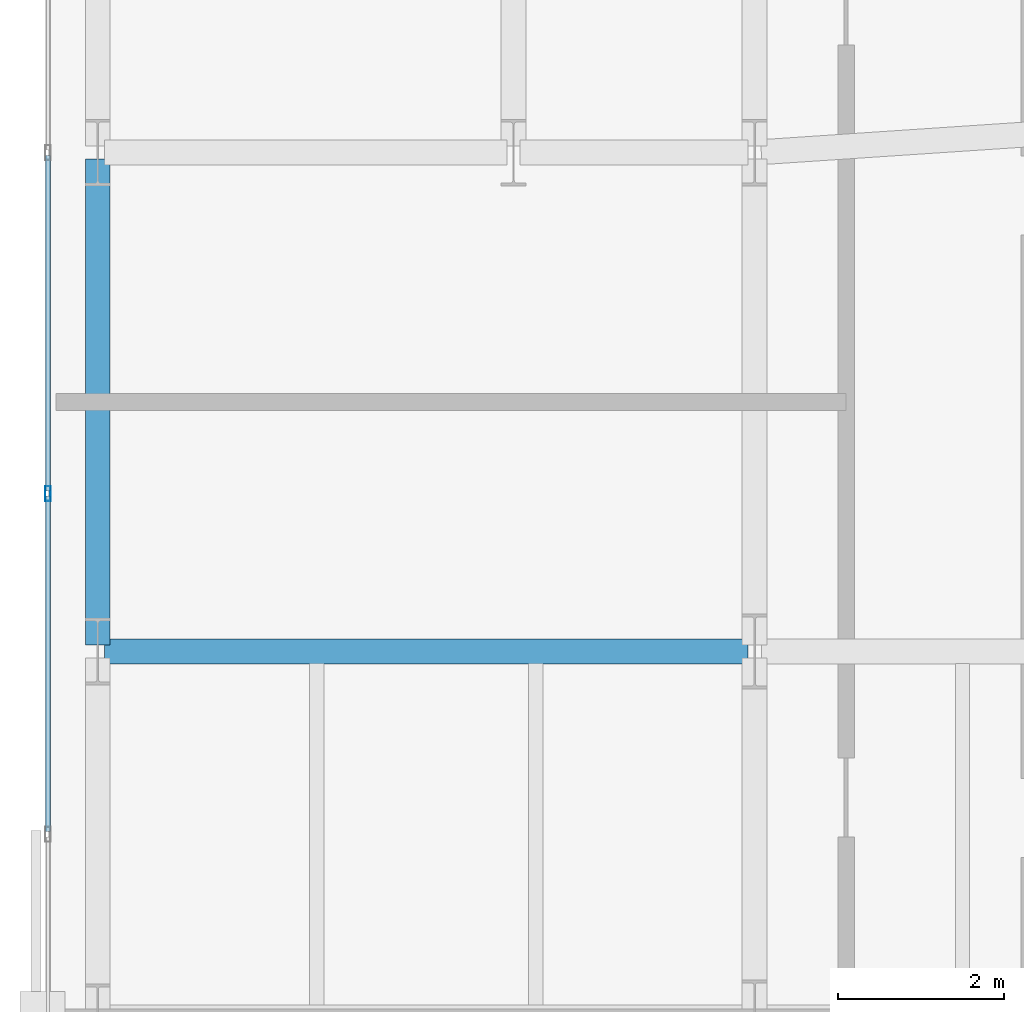
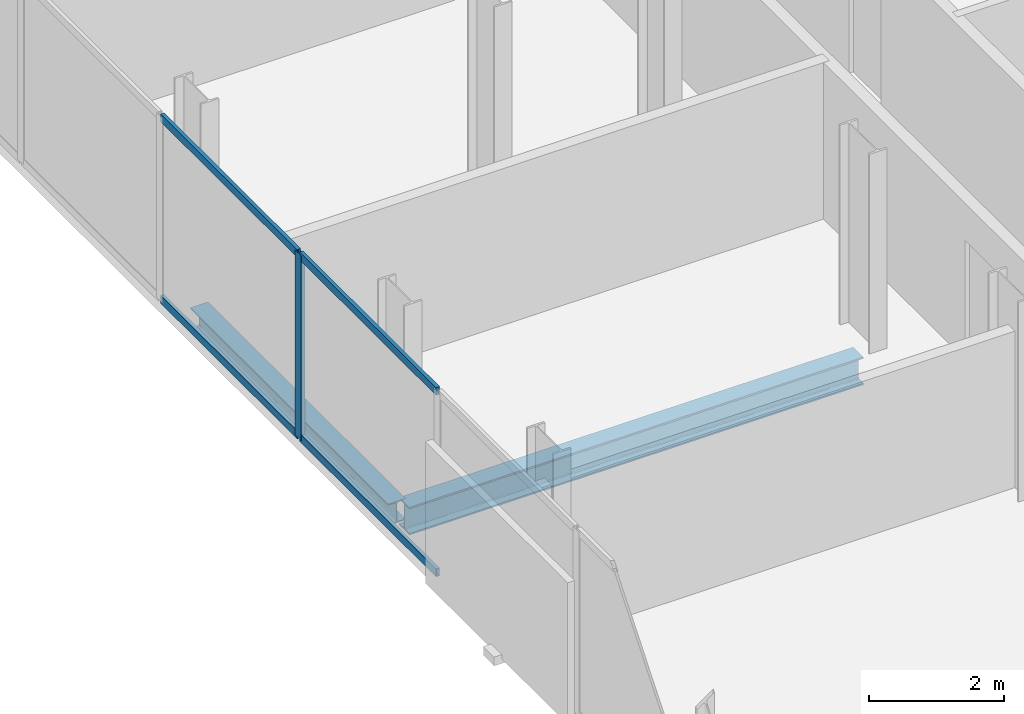
# One storey, part 9 of 33: 5 members, 2 beams, 1 element without a shape of its own.
"""IFC4 building model written with IfcOpenShell, lengths in metres."""

from ifc_helpers import new_model, si_unit, direction, frame, origin, origin_2d, place, context, subcontext, project, spatial, hollow_rectangle, i_section, extrude, material, layer, layer_set, material_profile, profile_set, type_object, element, aggregate, save


model = new_model("IFC4")

# Units and contexts
model_context = context("Model", 3, precision=1e-05, world=origin(), true_north=direction((0.0, 1.0)))
body_context = subcontext(model_context, "Body", "Model", "MODEL_VIEW")
ifc_project = project(units=[si_unit("LENGTHUNIT", "METRE"), si_unit("AREAUNIT", "SQUARE_METRE"), si_unit("VOLUMEUNIT", "CUBIC_METRE"), si_unit("PLANEANGLEUNIT", "RADIAN"), si_unit("MASSUNIT", "GRAM", prefix="KILO")], contexts=[model_context])

# Site, building, storey
site_placement = place(None, origin())
site = spatial("IfcSite", under=ifc_project, at=site_placement, CompositionType="ELEMENT")
building_placement = place(site_placement, origin())
building = spatial("IfcBuilding", under=site, at=building_placement, Name="Catumbela Crestline Tower", CompositionType="ELEMENT")
storey_placement = place(building_placement, frame((0.0, 0.0, 58.2)))
storey = spatial("IfcBuildingStorey", under=building, at=storey_placement, Name="L14", CompositionType="ELEMENT", Elevation=58.2)

# Beam
ifc_material_1 = material(Name="Structural steel S355J2", Category="steel")
ifc_material_profile_1 = material_profile(ifc_material_1, i_section(OverallWidth=0.3, OverallDepth=0.5, WebThickness=0.0145, FlangeThickness=0.028, FilletRadius=0.027, at=origin_2d()), Name="HEB 500")
ifc_profile_set_1 = profile_set([ifc_material_profile_1], Name="Structural steel S355J2")
beam_type_1 = type_object("IfcBeamType", Name="BG-HEB500", PredefinedType="BEAM", material=ifc_profile_set_1)
beam_1_placement = place(storey_placement, frame((0.68, 18.0, -0.51), z_axis=(1.0, 0.0, 0.0), x_axis=(0.0, 1.0, 0.0)))
element("IfcBeam", 1, at=beam_1_placement, inside=storey, type_object=beam_type_1, Name="L14 Beam BM-L14-WEW54", PredefinedType="BEAM", context=body_context, shape_type="SweptSolid", body=[
    extrude(i_section(OverallWidth=0.3, OverallDepth=0.5, WebThickness=0.0145, FlangeThickness=0.028, FilletRadius=0.027, at=origin_2d()), origin(), (0.0, 0.0, 1.0), 7.74),
])

# Curtain wall, member
ifc_material_2 = material(Name="Aluminium alloy AW-6060-T66", Category="aluminium")
ifc_layer = layer(ifc_material_2, 0.18, Name="Aluminium alloy AW-6060-T66")
ifc_layer_set = layer_set([ifc_layer], Name="Aluminium alloy AW-6060-T66")
curtain_wall_type = type_object("IfcCurtainWallType", Name="CWU-Z1", PredefinedType="USERDEFINED", material=ifc_layer_set)
curtain_wall_placement = place(storey_placement, origin())
curtain_wall = element("IfcCurtainWall", 2, at=curtain_wall_placement, inside=storey, type_object=curtain_wall_type, Name="L14 Unitised Curtain Wall CW-L14-E9S1", ObjectType="UNITISED", PredefinedType="USERDEFINED")
ifc_material_profile_2 = material_profile(ifc_material_2, hollow_rectangle(XDim=0.065, YDim=0.18, WallThickness=0.004, at=origin_2d()), Name="ALU 180x65x4")
ifc_profile_set_2 = profile_set([ifc_material_profile_2], Name="Aluminium alloy AW-6060-T66")
member_type_1 = type_object("IfcMemberType", Name="MUL-180X65", PredefinedType="MULLION", material=ifc_profile_set_2)
member_1_placement = place(storey_placement, frame((0.0, 19.9, 0.0), z_axis=(0.0, 0.0, 1.0), x_axis=(1.0, 0.0, 0.0)))
member_1 = element("IfcMember", 3, at=member_1_placement, type_object=member_type_1, Name="CWU-Z1 mullion 7", PredefinedType="MULLION", context=body_context, shape_type="SweptSolid", body=[
    extrude(hollow_rectangle(XDim=0.065, YDim=0.18, WallThickness=0.004, at=origin_2d()), origin(), (0.0, 0.0, 1.0), 3.33),
])

# Beam
ifc_material_profile_3 = material_profile(ifc_material_1, i_section(OverallWidth=0.3, OverallDepth=0.39, WebThickness=0.011, FlangeThickness=0.019, FilletRadius=0.027, at=origin_2d()), Name="HEA 400")
ifc_profile_set_3 = profile_set([ifc_material_profile_3], Name="Structural steel S355J2")
beam_type_2 = type_object("IfcBeamType", Name="BS-HEA400", PredefinedType="SPANDREL", material=ifc_profile_set_3)
beam_2_placement = place(storey_placement, frame((0.6, 18.08, -0.455), z_axis=(0.0, 1.0, 0.0), x_axis=(-1.0, 0.0, 0.0)))
element("IfcBeam", 4, at=beam_2_placement, inside=storey, type_object=beam_type_2, Name="L14 Spandrel SP-L14-WNS60", PredefinedType="SPANDREL", context=body_context, shape_type="SweptSolid", body=[
    extrude(i_section(OverallWidth=0.3, OverallDepth=0.39, WebThickness=0.011, FlangeThickness=0.019, FilletRadius=0.027, at=origin_2d()), origin(), (0.0, 0.0, 1.0), 5.84),
])

# Member
ifc_material_profile_4 = material_profile(ifc_material_2, hollow_rectangle(XDim=0.06, YDim=0.14, WallThickness=0.004, at=origin_2d()), Name="ALU 140x60x4")
ifc_profile_set_4 = profile_set([ifc_material_profile_4], Name="Aluminium alloy AW-6060-T66")
member_type_2 = type_object("IfcMemberType", Name="TRN-140X60", PredefinedType="USERDEFINED", material=ifc_profile_set_4)
member_2_placement = place(storey_placement, frame((0.0, 23.9675, 0.03), z_axis=(0.0, -1.0, 0.0), x_axis=(1.0, 0.0, 0.0)))
member_2 = element("IfcMember", 5, at=member_2_placement, type_object=member_type_2, Name="CWU-Z1 transom 6.1", ObjectType="TRANSOM", PredefinedType="USERDEFINED", context=body_context, shape_type="SweptSolid", body=[
    extrude(hollow_rectangle(XDim=0.06, YDim=0.14, WallThickness=0.004, at=origin_2d()), origin(), (0.0, 0.0, 1.0), 4.035),
])

member_3_placement = place(storey_placement, frame((0.0, 23.9675, 3.3), z_axis=(0.0, -1.0, 0.0), x_axis=(1.0, 0.0, 0.0)))
member_3 = element("IfcMember", 6, at=member_3_placement, type_object=member_type_2, Name="CWU-Z1 transom 6.2", ObjectType="TRANSOM", PredefinedType="USERDEFINED", context=body_context, shape_type="SweptSolid", body=[
    extrude(hollow_rectangle(XDim=0.06, YDim=0.14, WallThickness=0.004, at=origin_2d()), origin(), (0.0, 0.0, 1.0), 4.035),
])

member_4_placement = place(storey_placement, frame((0.0, 19.8675, 0.03), z_axis=(0.0, -1.0, 0.0), x_axis=(1.0, 0.0, 0.0)))
member_4 = element("IfcMember", 7, at=member_4_placement, type_object=member_type_2, Name="CWU-Z1 transom 7.1", ObjectType="TRANSOM", PredefinedType="USERDEFINED", context=body_context, shape_type="SweptSolid", body=[
    extrude(hollow_rectangle(XDim=0.06, YDim=0.14, WallThickness=0.004, at=origin_2d()), origin(), (0.0, 0.0, 1.0), 4.035),
])

member_5_placement = place(storey_placement, frame((0.0, 19.8675, 3.3), z_axis=(0.0, -1.0, 0.0), x_axis=(1.0, 0.0, 0.0)))
member_5 = element("IfcMember", 8, at=member_5_placement, type_object=member_type_2, Name="CWU-Z1 transom 7.2", ObjectType="TRANSOM", PredefinedType="USERDEFINED", context=body_context, shape_type="SweptSolid", body=[
    extrude(hollow_rectangle(XDim=0.06, YDim=0.14, WallThickness=0.004, at=origin_2d()), origin(), (0.0, 0.0, 1.0), 4.035),
])

aggregate(curtain_wall, [member_1, member_2, member_3, member_4, member_5])

save(model, "model.ifc")
